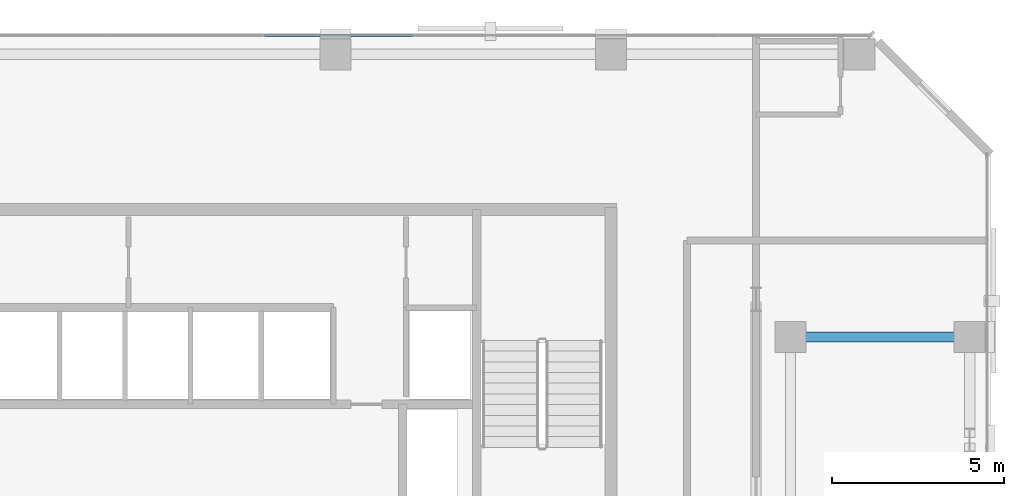
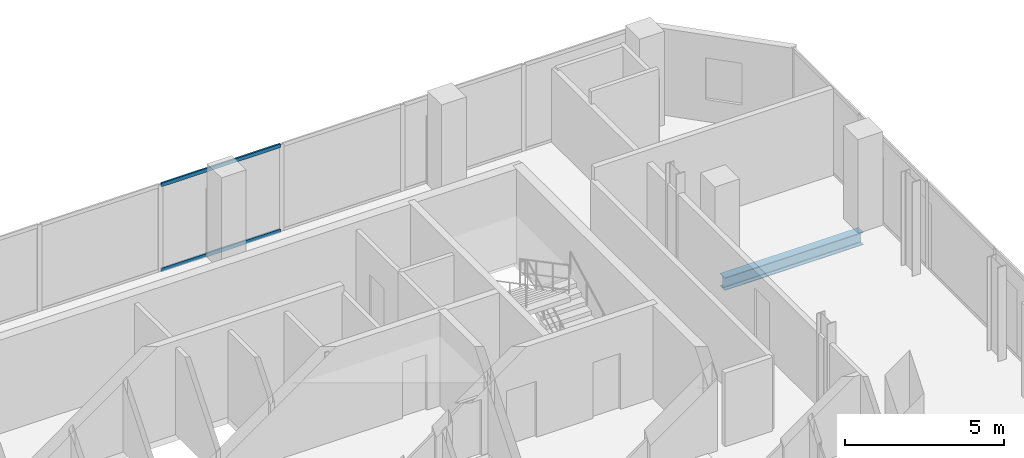
# One storey, part 23 of 35: 2 members, 1 beam, 1 element without a shape of its own.
"""IFC4 building model written with IfcOpenShell, lengths in metres."""

import ifcopenshell
import ifcopenshell.guid

model = None  # the IFC model being written
_history = None  # IfcOwnerHistory: only IFC2X3 demands one
_inside = {}  # id of a spatial element -> (the spatial element, [elements in it])
_under = {}  # id of a project, library or spatial element -> (it, [spatial elements below it])
_declared = {}  # id of a project -> (the project, [libraries it declares])
_typed = {}  # id of a type object -> (the type object, [elements of that type])
_made_of = {}  # id of a material, layer set ... -> (it, [elements and type objects made of it])


def new_model(schema):
    """Start an empty IFC model of exactly this schema.

    Asked for "IFC4X3", IfcOpenShell would pick the latest addendum, in which some entities
    have other attributes; the version numbers below select the first issue.
    IFC2X3 requires an IfcOwnerHistory on every rooted entity: one is made here for all.
    """
    global model, _history
    if schema == "IFC4X3":
        model = ifcopenshell.file(schema_version=(4, 3, 0, 0))
    else:
        model = ifcopenshell.file(schema=schema)
    _inside.clear()
    _under.clear()
    _declared.clear()
    _typed.clear()
    _made_of.clear()
    _history = None
    if model.schema == "IFC2X3":
        org = make("IfcOrganization", Name="unknown")
        user = make(
            "IfcPersonAndOrganization",
            ThePerson=make("IfcPerson", FamilyName="unknown"),
            TheOrganization=org,
        )
        app = make(
            "IfcApplication",
            ApplicationDeveloper=org,
            Version="unknown",
            ApplicationFullName="unknown",
            ApplicationIdentifier="unknown",
        )
        _history = make(
            "IfcOwnerHistory",
            OwningUser=user,
            OwningApplication=app,
            ChangeAction="ADDED",
            CreationDate=0,
        )
    return model


def make(cls, **values):
    """One entity of the class cls with the attributes given. An attribute that is None is left unset."""
    return model.create_entity(
        cls, **{name: value for name, value in values.items() if value is not None}
    )


def rooted(cls, **values):
    """An entity with a GlobalId (a new one), such as an element, a storey or a relation."""
    return make(cls, GlobalId=ifcopenshell.guid.new(), OwnerHistory=_history, **values)


def si_unit(unit_type, name, prefix=None):
    """IfcSIUnit, for example si_unit("LENGTHUNIT", "METRE", prefix="MILLI")."""
    return make("IfcSIUnit", UnitType=unit_type, Prefix=prefix, Name=name)


def assignment(units):
    """IfcUnitAssignment: the units of a project."""
    return None if units is None else make("IfcUnitAssignment", Units=units)


def point(xyz):
    """IfcCartesianPoint."""
    return None if xyz is None else make("IfcCartesianPoint", Coordinates=xyz)


def direction(xyz):
    """IfcDirection."""
    return None if xyz is None else make("IfcDirection", DirectionRatios=xyz)


def frame(location, z_axis=None, x_axis=None):
    """IfcAxis2Placement3D, a coordinate frame: its origin and axes. An axis left out is left unset."""
    return make(
        "IfcAxis2Placement3D",
        Location=point(location),
        Axis=direction(z_axis),
        RefDirection=direction(x_axis),
    )


def frame_2d(location, x_axis=None):
    """IfcAxis2Placement2D, a coordinate frame in the plane: its origin and x axis."""
    return make(
        "IfcAxis2Placement2D", Location=point(location), RefDirection=direction(x_axis)
    )


def origin():
    """The frame at (0, 0, 0) with its axes left unset."""
    return frame((0.0, 0.0, 0.0))


def origin_2d():
    """The frame at (0, 0) in the plane with its x axis left unset."""
    return frame_2d((0.0, 0.0))


def place(relative_to, where):
    """IfcLocalPlacement: puts the frame where relative to a parent placement (None: the world)."""
    return make(
        "IfcLocalPlacement", PlacementRelTo=relative_to, RelativePlacement=where
    )


def context(
    kind, dimensions, precision=None, world=None, true_north=None, identifier=None
):
    """IfcGeometricRepresentationContext, for example the 3D "Model" context."""
    return make(
        "IfcGeometricRepresentationContext",
        ContextIdentifier=identifier,
        ContextType=kind,
        CoordinateSpaceDimension=dimensions,
        Precision=precision,
        WorldCoordinateSystem=world,
        TrueNorth=true_north,
    )


def subcontext(parent, identifier, kind, view, scale=None):
    """IfcGeometricRepresentationSubContext, for example "Body" below "Model"."""
    return make(
        "IfcGeometricRepresentationSubContext",
        ContextIdentifier=identifier,
        ContextType=kind,
        ParentContext=parent,
        TargetScale=scale,
        TargetView=view,
    )


def project(units=None, contexts=None):
    """IfcProject with its units and contexts."""
    return rooted(
        "IfcProject",
        Name="project",
        RepresentationContexts=contexts,
        UnitsInContext=assignment(units),
    )


def spatial(cls, under=None, at=None, **own):
    """A site, building, storey or space (cls), placed at a placement, below another one or the project."""
    s = rooted(cls, ObjectPlacement=at, **own)
    if under is not None:
        _under.setdefault(under.id(), (under, []))[1].append(s)
    return s


def profile(cls, at=None, kind="AREA", **sizes):
    """A parametric profile (cls). Its sizes go by their IFC names, for example OverallWidth=200.0."""
    return make(cls, ProfileType=kind, Position=at, **sizes)


def hollow_rectangle(**sizes):
    """IfcRectangleHollowProfileDef."""
    return profile("IfcRectangleHollowProfileDef", **sizes)


def i_section(**sizes):
    """IfcIShapeProfileDef."""
    return profile("IfcIShapeProfileDef", **sizes)


def extrude(swept, where, along, depth):
    """IfcExtrudedAreaSolid: the profile swept, set in the frame where, extruded along a direction by depth."""
    return make(
        "IfcExtrudedAreaSolid",
        SweptArea=swept,
        Position=where,
        ExtrudedDirection=direction(along),
        Depth=depth,
    )


def shape(context_of_items, identifier, shape_type, items):
    """IfcShapeRepresentation: the items that make up one representation, for example the "Body"."""
    return make(
        "IfcShapeRepresentation",
        ContextOfItems=context_of_items,
        RepresentationIdentifier=identifier,
        RepresentationType=shape_type,
        Items=items,
    )


def material(Name=None, Category=None):
    """IfcMaterial."""
    return make("IfcMaterial", Name=Name, Category=Category)


def layer(
    of_material, thickness, ventilated=None, Name=None, Category=None, Priority=None
):
    """IfcMaterialLayer: one layer of a wall or slab, of a material (None: an air gap)."""
    return make(
        "IfcMaterialLayer",
        Material=of_material,
        LayerThickness=thickness,
        IsVentilated=ventilated,
        Name=Name,
        Category=Category,
        Priority=Priority,
    )


def layer_set(layers, Name=None):
    """IfcMaterialLayerSet."""
    return make("IfcMaterialLayerSet", MaterialLayers=layers, LayerSetName=Name)


def material_profile(
    of_material, cross_section, Name=None, Category=None, Priority=None
):
    """IfcMaterialProfile: a cross section and its material."""
    return make(
        "IfcMaterialProfile",
        Name=Name,
        Material=of_material,
        Profile=cross_section,
        Priority=Priority,
        Category=Category,
    )


def profile_set(profiles, Name=None, composite=None):
    """IfcMaterialProfileSet."""
    return make(
        "IfcMaterialProfileSet",
        Name=Name,
        MaterialProfiles=profiles,
        CompositeProfile=composite,
    )


def made_of(thing, what):
    """Note that an element or type object is made of a material, layer set ...; save() writes the relation."""
    if what is not None:
        _made_of.setdefault(what.id(), (what, []))[1].append(thing)
    return thing


def type_object(cls, material=None, **own):
    """A type object (cls), such as IfcWallType, which elements share."""
    return made_of(rooted(cls, **own), material)


def element(
    cls,
    number,
    at=None,
    inside=None,
    cuts=None,
    type_object=None,
    material=None,
    context=None,
    identifier="Body",
    shape_type=None,
    held_by="IfcProductDefinitionShape",
    body=None,
    shapes=None,
    **own,
):
    """One element of the class cls, such as IfcWall. Its Tag is "e" and its number.

    at: its placement. inside: the storey or other place that contains it. cuts: it is an
    opening in that element (IfcRelVoidsElement). A single representation is given by context,
    identifier, shape_type and body (its items); several are given by shapes. held_by: the class
    of the entity that holds the representations. save() writes the other relations.
    """
    e = rooted(cls, Tag="e%d" % number, ObjectPlacement=at, **own)
    if body is not None:
        shapes = [shape(context, identifier, shape_type, body)]
    if shapes is not None:
        e.Representation = make(held_by, Representations=shapes)
    if inside is not None:
        _inside.setdefault(inside.id(), (inside, []))[1].append(e)
    if cuts is not None:
        rooted(
            "IfcRelVoidsElement", RelatingBuildingElement=cuts, RelatedOpeningElement=e
        )
    if type_object is not None:
        _typed.setdefault(type_object.id(), (type_object, []))[1].append(e)
    return made_of(e, material)


def aggregate(whole, parts):
    """IfcRelAggregates: a whole, such as a stair, and the parts it consists of."""
    return rooted("IfcRelAggregates", RelatingObject=whole, RelatedObjects=parts)


def save(model, path):
    """Write the relations noted so far, then the file.

    IfcRelAggregates (storeys below a building ...), IfcRelContainedInSpatialStructure (elements
    in a storey), IfcRelDefinesByType, IfcRelAssociatesMaterial and IfcRelDeclares: one each for
    every whole, place, type object, material and project.
    """
    for whole, parts in _under.values():
        aggregate(whole, parts)
    for where, things in _inside.values():
        rooted(
            "IfcRelContainedInSpatialStructure",
            RelatedElements=things,
            RelatingStructure=where,
        )
    for kind, things in _typed.values():
        rooted("IfcRelDefinesByType", RelatedObjects=things, RelatingType=kind)
    for what, things in _made_of.values():
        rooted("IfcRelAssociatesMaterial", RelatedObjects=things, RelatingMaterial=what)
    for by, libraries in _declared.values():
        rooted("IfcRelDeclares", RelatingContext=by, RelatedDefinitions=libraries)
    model.write(path)


model = new_model("IFC4")

# Units and contexts
model_context = context("Model", 3, precision=1e-05, world=origin(), true_north=direction((0.0, 1.0)))
body_context = subcontext(model_context, "Body", "Model", "MODEL_VIEW")
ifc_project = project(units=[si_unit("LENGTHUNIT", "METRE"), si_unit("AREAUNIT", "SQUARE_METRE"), si_unit("VOLUMEUNIT", "CUBIC_METRE"), si_unit("PLANEANGLEUNIT", "RADIAN"), si_unit("MASSUNIT", "GRAM", prefix="KILO")], contexts=[model_context])

# Site, building, storey
site_placement = place(None, origin())
site = spatial("IfcSite", under=ifc_project, at=site_placement, CompositionType="ELEMENT")
building_placement = place(site_placement, origin())
building = spatial("IfcBuilding", under=site, at=building_placement, Name="Catumbela Crestline Tower", CompositionType="ELEMENT")
storey_placement = place(building_placement, frame((0.0, 0.0, 90.0)))
storey = spatial("IfcBuildingStorey", under=building, at=storey_placement, Name="L22", CompositionType="ELEMENT", Elevation=90.0)

# Beam
ifc_material_1 = material(Name="Structural steel S355J2", Category="steel")
ifc_material_profile_1 = material_profile(ifc_material_1, i_section(OverallWidth=0.3, OverallDepth=0.49, WebThickness=0.012, FlangeThickness=0.023, FilletRadius=0.027, at=origin_2d()), Name="HEA 500")
ifc_profile_set_1 = profile_set([ifc_material_profile_1], Name="Structural steel S355J2")
beam_type = type_object("IfcBeamType", Name="BG-HEA500", PredefinedType="BEAM", material=ifc_profile_set_1)
beam_placement = place(storey_placement, frame((45.28, 39.2, -0.505), z_axis=(1.0, 0.0, 0.0), x_axis=(0.0, 1.0, 0.0)))
element("IfcBeam", 1, at=beam_placement, inside=storey, type_object=beam_type, Name="L22 Beam BM-L22-N16", PredefinedType="BEAM", context=body_context, shape_type="SweptSolid", body=[
    extrude(i_section(OverallWidth=0.3, OverallDepth=0.49, WebThickness=0.012, FlangeThickness=0.023, FilletRadius=0.027, at=origin_2d()), origin(), (0.0, 0.0, 1.0), 5.04),
])

# Curtain wall, members
ifc_material_2 = material(Name="Aluminium alloy AW-6060-T66", Category="aluminium")
ifc_layer = layer(ifc_material_2, 0.18, Name="Aluminium alloy AW-6060-T66")
ifc_layer_set = layer_set([ifc_layer], Name="Aluminium alloy AW-6060-T66")
curtain_wall_type = type_object("IfcCurtainWallType", Name="CWU-Z2", PredefinedType="USERDEFINED", material=ifc_layer_set)
curtain_wall_placement = place(storey_placement, origin())
curtain_wall = element("IfcCurtainWall", 2, at=curtain_wall_placement, inside=storey, type_object=curtain_wall_type, Name="L22 Unitised Curtain Wall CW-L22-E7S1", ObjectType="UNITISED", PredefinedType="USERDEFINED")
ifc_material_profile_2 = material_profile(ifc_material_2, hollow_rectangle(XDim=0.06, YDim=0.14, WallThickness=0.004, at=origin_2d()), Name="ALU 140x60x4")
ifc_profile_set_2 = profile_set([ifc_material_profile_2], Name="Aluminium alloy AW-6060-T66")
member_type = type_object("IfcMemberType", Name="TRN-140X60", PredefinedType="USERDEFINED", material=ifc_profile_set_2)
member_1_placement = place(storey_placement, frame((34.2675, 47.95, 0.03), z_axis=(-1.0, 0.0, 0.0), x_axis=(0.0, -1.0, 0.0)))
member_1 = element("IfcMember", 3, at=member_1_placement, type_object=member_type, Name="CWU-Z2 transom 4.1", ObjectType="TRANSOM", PredefinedType="USERDEFINED", context=body_context, shape_type="SweptSolid", body=[
    extrude(hollow_rectangle(XDim=0.06, YDim=0.14, WallThickness=0.004, at=origin_2d()), origin(), (0.0, 0.0, 1.0), 4.335),
])
member_2_placement = place(storey_placement, frame((34.2675, 47.95, 3.3), z_axis=(-1.0, 0.0, 0.0), x_axis=(0.0, -1.0, 0.0)))
member_2 = element("IfcMember", 4, at=member_2_placement, type_object=member_type, Name="CWU-Z2 transom 4.2", ObjectType="TRANSOM", PredefinedType="USERDEFINED", context=body_context, shape_type="SweptSolid", body=[
    extrude(hollow_rectangle(XDim=0.06, YDim=0.14, WallThickness=0.004, at=origin_2d()), origin(), (0.0, 0.0, 1.0), 4.335),
])
aggregate(curtain_wall, [member_1, member_2])

save(model, "model.ifc")
